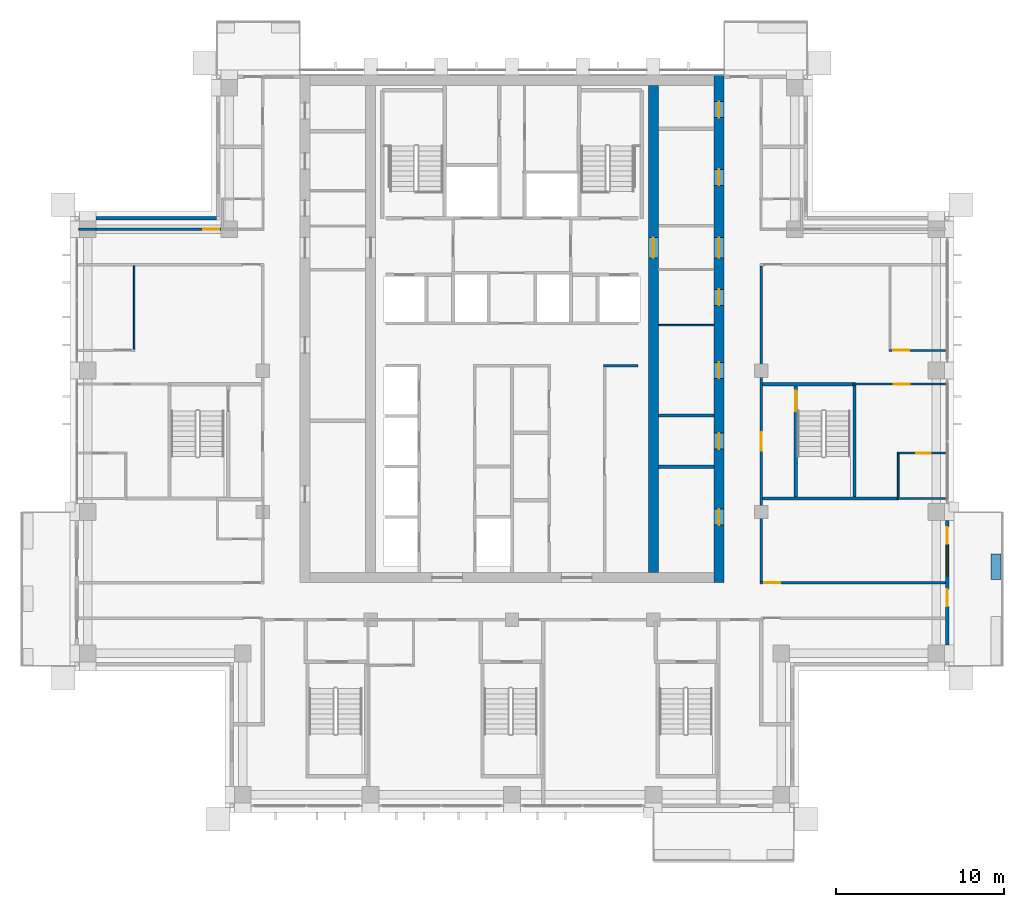
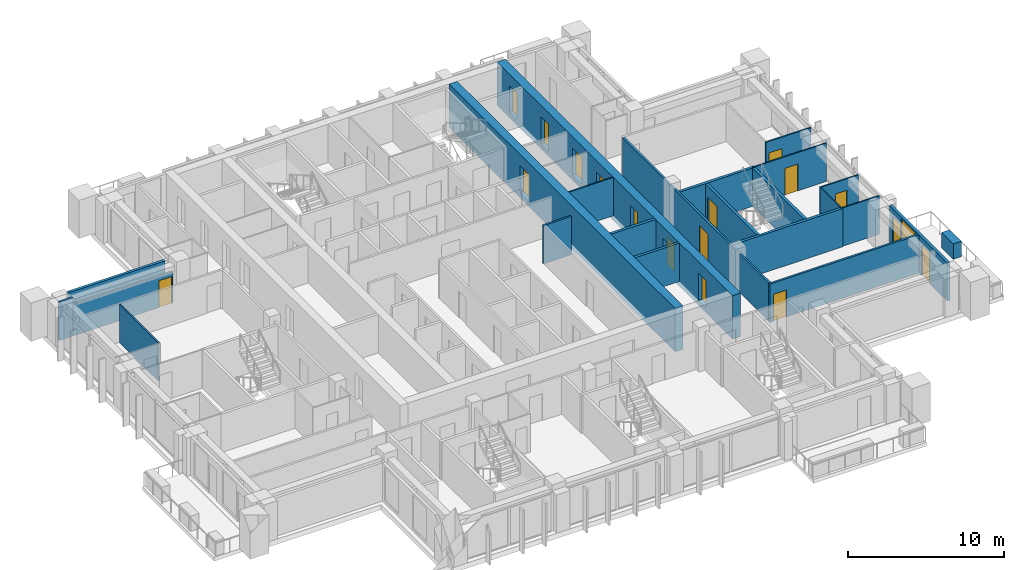
# One storey, part 12 of 19: 23 walls, 17 doors, 1 window, 18 openings.
"""IFC4 building model written with IfcOpenShell, lengths in metres."""

from ifc_helpers import new_model, si_unit, direction, frame, frame_2d, origin, place, context, subcontext, project, spatial, rectangle, extrude, material, layer, layer_set, type_object, element, fill, save


model = new_model("IFC4")

# Units and contexts
model_context = context("Model", 3, precision=1e-05, world=origin(), true_north=direction((0.0, 1.0)))
body_context = subcontext(model_context, "Body", "Model", "MODEL_VIEW")
ifc_project = project(units=[si_unit("LENGTHUNIT", "METRE"), si_unit("AREAUNIT", "SQUARE_METRE"), si_unit("VOLUMEUNIT", "CUBIC_METRE"), si_unit("PLANEANGLEUNIT", "RADIAN"), si_unit("MASSUNIT", "GRAM", prefix="KILO")], contexts=[model_context])

# Site, building, storey
site_placement = place(None, origin())
site = spatial("IfcSite", under=ifc_project, at=site_placement, CompositionType="ELEMENT")
building_placement = place(site_placement, origin())
building = spatial("IfcBuilding", under=site, at=building_placement, Name="Vermilion Ogive Tower", CompositionType="ELEMENT")
storey_placement = place(building_placement, frame((0.0, 0.0, 213.5)))
storey = spatial("IfcBuildingStorey", under=building, at=storey_placement, Name="L56", CompositionType="ELEMENT", Elevation=213.5)

# Wall, openings, doors
ifc_material_1 = material(Name="Concrete B60", Category="concrete")
ifc_layer_1 = layer(ifc_material_1, 0.60009765625)
ifc_layer_set_1 = layer_set([ifc_layer_1], Name="Core wall 600 B60")
wall_type_1 = type_object("IfcWallType", Name="Core wall 600 B60", PredefinedType="SHEAR", material=ifc_layer_set_1)
wall_1_placement = place(storey_placement, frame((12.300048828125, -8.39990234375, -0.39990234375), z_axis=(0.0, 0.0, 1.0), x_axis=(0.0, 1.0, 0.0)))
wall_1 = element("IfcWall", 1, at=wall_1_placement, inside=storey, type_object=wall_type_1, Name="L56-CORE-E", PredefinedType="SHEAR", context=body_context, shape_type="SweptSolid", body=[
    extrude(rectangle(XDim=30.14990234375, YDim=0.60009765625, at=frame_2d((15.074951171875, 0.0))), origin(), (0.0, 0.0, 1.0), 3.39990234375),
])
opening_1_placement = place(wall_1_placement, frame((3.415771484375, 0.0, 0.39990234375)))
opening_1 = element("IfcOpeningElement", 2, at=opening_1_placement, cuts=wall_1, Name="Opening DAC094", PredefinedType="OPENING", context=body_context, shape_type="SweptSolid", body=[
    extrude(rectangle(XDim=0.949951171875, YDim=2.10009765625, at=frame_2d((0.47509765625, 1.050048828125))), frame((0.0, 0.31005859375, 0.0), z_axis=(0.0, -1.0, 0.0), x_axis=(1.0, 0.0, 0.0)), (0.0, 0.0, 1.0), 0.6201171875),
])
opening_2_placement = place(wall_1_placement, frame((7.93212890625, 0.0, 0.39990234375)))
opening_2 = element("IfcOpeningElement", 3, at=opening_2_placement, cuts=wall_1, Name="Opening DAC095", PredefinedType="OPENING", context=body_context, shape_type="SweptSolid", body=[
    extrude(rectangle(XDim=0.949951171875, YDim=2.10009765625, at=frame_2d((0.47509765625, 1.050048828125))), frame((0.0, 0.31005859375, 0.0), z_axis=(0.0, -1.0, 0.0), x_axis=(1.0, 0.0, 0.0)), (0.0, 0.0, 1.0), 0.6201171875),
])
opening_3_placement = place(wall_1_placement, frame((12.1435546875, 0.0, 0.39990234375)))
opening_3 = element("IfcOpeningElement", 4, at=opening_3_placement, cuts=wall_1, Name="Opening DAC096", PredefinedType="OPENING", context=body_context, shape_type="SweptSolid", body=[
    extrude(rectangle(XDim=0.949951171875, YDim=2.10009765625, at=frame_2d((0.47509765625, 1.050048828125))), frame((0.0, 0.31005859375, 0.0), z_axis=(0.0, -1.0, 0.0), x_axis=(1.0, 0.0, 0.0)), (0.0, 0.0, 1.0), 0.6201171875),
])
opening_4_placement = place(wall_1_placement, frame((16.47705078125, 0.0, 0.39990234375)))
opening_4 = element("IfcOpeningElement", 5, at=opening_4_placement, cuts=wall_1, Name="Opening DAC097", PredefinedType="OPENING", context=body_context, shape_type="SweptSolid", body=[
    extrude(rectangle(XDim=0.949951171875, YDim=2.10009765625, at=frame_2d((0.47509765625, 1.050048828125))), frame((0.0, 0.31005859375, 0.0), z_axis=(0.0, -1.0, 0.0), x_axis=(1.0, 0.0, 0.0)), (0.0, 0.0, 1.0), 0.6201171875),
])
opening_5_placement = place(wall_1_placement, frame((23.60498046875, 0.0, 0.39990234375)))
opening_5 = element("IfcOpeningElement", 6, at=opening_5_placement, cuts=wall_1, Name="Opening DAC098", PredefinedType="OPENING", context=body_context, shape_type="SweptSolid", body=[
    extrude(rectangle(XDim=0.949951171875, YDim=2.10009765625, at=frame_2d((0.47509765625, 1.050048828125))), frame((0.0, 0.31005859375, 0.0), z_axis=(0.0, -1.0, 0.0), x_axis=(1.0, 0.0, 0.0)), (0.0, 0.0, 1.0), 0.6201171875),
])
opening_6_placement = place(wall_1_placement, frame((27.630126953125, 0.0, 0.39990234375)))
opening_6 = element("IfcOpeningElement", 7, at=opening_6_placement, cuts=wall_1, Name="Opening DAC099", PredefinedType="OPENING", context=body_context, shape_type="SweptSolid", body=[
    extrude(rectangle(XDim=0.949951171875, YDim=2.10009765625, at=frame_2d((0.47509765625, 1.050048828125))), frame((0.0, 0.31005859375, 0.0), z_axis=(0.0, -1.0, 0.0), x_axis=(1.0, 0.0, 0.0)), (0.0, 0.0, 1.0), 0.6201171875),
])
opening_7_placement = place(wall_1_placement, frame((19.300048828125, 0.0, 0.39990234375)))
opening_7 = element("IfcOpeningElement", 8, at=opening_7_placement, cuts=wall_1, Name="Opening DAL023", PredefinedType="OPENING", context=body_context, shape_type="SweptSolid", body=[
    extrude(rectangle(XDim=1.199951171875, YDim=2.10009765625, at=frame_2d((0.60009765625, 1.050048828125))), frame((0.0, 0.31005859375, 0.0), z_axis=(0.0, -1.0, 0.0), x_axis=(1.0, 0.0, 0.0)), (0.0, 0.0, 1.0), 0.6201171875),
])
ifc_material_2 = material(Name="Timber door leaf", Category="wood")
door_type_1 = type_object("IfcDoorType", Name="Link door 1200 x 2100 FD60S", OperationType="SINGLE_SWING_LEFT", PredefinedType="DOOR", material=ifc_material_2)
door_1_placement = place(opening_7_placement, origin())
door_1 = element("IfcDoor", 9, at=door_1_placement, inside=storey, type_object=door_type_1, Name="L56-CKE-XL", OperationType="SINGLE_SWING_LEFT", OverallHeight=2.10009765625, OverallWidth=1.199951171875, PredefinedType="DOOR", context=body_context, shape_type="SweptSolid", body=[
    extrude(rectangle(XDim=1.199951171875, YDim=2.10009765625, at=frame_2d((0.60009765625, 1.050048828125))), frame((0.0, 0.02490234375, 0.0), z_axis=(0.0, -1.0, 0.0), x_axis=(1.0, 0.0, 0.0)), (0.0, 0.0, 1.0), 0.050048828125),
])
fill(opening_7, door_1)
ifc_material_3 = material(Name="Timber door leaf", Category="wood")
door_type_2 = type_object("IfcDoorType", Name="Service door 950 x 2100 FD60", OperationType="SINGLE_SWING_LEFT", PredefinedType="DOOR", material=ifc_material_3)
door_2_placement = place(opening_1_placement, origin())
door_2 = element("IfcDoor", 10, at=door_2_placement, inside=storey, type_object=door_type_2, Name="L56-CKE-XR0", OperationType="SINGLE_SWING_LEFT", OverallHeight=2.10009765625, OverallWidth=0.949951171875, PredefinedType="DOOR", context=body_context, shape_type="SweptSolid", body=[
    extrude(rectangle(XDim=0.949951171875, YDim=2.10009765625, at=frame_2d((0.47509765625, 1.050048828125))), frame((0.0, 0.02490234375, 0.0), z_axis=(0.0, -1.0, 0.0), x_axis=(1.0, 0.0, 0.0)), (0.0, 0.0, 1.0), 0.050048828125),
])
fill(opening_1, door_2)
door_3_placement = place(opening_2_placement, origin())
door_3 = element("IfcDoor", 11, at=door_3_placement, inside=storey, type_object=door_type_2, Name="L56-CKE-XR1", OperationType="SINGLE_SWING_LEFT", OverallHeight=2.10009765625, OverallWidth=0.949951171875, PredefinedType="DOOR", context=body_context, shape_type="SweptSolid", body=[
    extrude(rectangle(XDim=0.949951171875, YDim=2.10009765625, at=frame_2d((0.47509765625, 1.050048828125))), frame((0.0, 0.02490234375, 0.0), z_axis=(0.0, -1.0, 0.0), x_axis=(1.0, 0.0, 0.0)), (0.0, 0.0, 1.0), 0.050048828125),
])
fill(opening_2, door_3)
door_4_placement = place(opening_3_placement, origin())
door_4 = element("IfcDoor", 12, at=door_4_placement, inside=storey, type_object=door_type_2, Name="L56-CKE-XR2", OperationType="SINGLE_SWING_LEFT", OverallHeight=2.10009765625, OverallWidth=0.949951171875, PredefinedType="DOOR", context=body_context, shape_type="SweptSolid", body=[
    extrude(rectangle(XDim=0.949951171875, YDim=2.10009765625, at=frame_2d((0.47509765625, 1.050048828125))), frame((0.0, 0.02490234375, 0.0), z_axis=(0.0, -1.0, 0.0), x_axis=(1.0, 0.0, 0.0)), (0.0, 0.0, 1.0), 0.050048828125),
])
fill(opening_3, door_4)
door_5_placement = place(opening_4_placement, origin())
door_5 = element("IfcDoor", 13, at=door_5_placement, inside=storey, type_object=door_type_2, Name="L56-CKE-XR3", OperationType="SINGLE_SWING_LEFT", OverallHeight=2.10009765625, OverallWidth=0.949951171875, PredefinedType="DOOR", context=body_context, shape_type="SweptSolid", body=[
    extrude(rectangle(XDim=0.949951171875, YDim=2.10009765625, at=frame_2d((0.47509765625, 1.050048828125))), frame((0.0, 0.02490234375, 0.0), z_axis=(0.0, -1.0, 0.0), x_axis=(1.0, 0.0, 0.0)), (0.0, 0.0, 1.0), 0.050048828125),
])
fill(opening_4, door_5)
door_6_placement = place(opening_5_placement, origin())
door_6 = element("IfcDoor", 14, at=door_6_placement, inside=storey, type_object=door_type_2, Name="L56-CKE-XR4", OperationType="SINGLE_SWING_LEFT", OverallHeight=2.10009765625, OverallWidth=0.949951171875, PredefinedType="DOOR", context=body_context, shape_type="SweptSolid", body=[
    extrude(rectangle(XDim=0.949951171875, YDim=2.10009765625, at=frame_2d((0.47509765625, 1.050048828125))), frame((0.0, 0.02490234375, 0.0), z_axis=(0.0, -1.0, 0.0), x_axis=(1.0, 0.0, 0.0)), (0.0, 0.0, 1.0), 0.050048828125),
])
fill(opening_5, door_6)
door_7_placement = place(opening_6_placement, origin())
door_7 = element("IfcDoor", 15, at=door_7_placement, inside=storey, type_object=door_type_2, Name="L56-CKE-XR5", OperationType="SINGLE_SWING_LEFT", OverallHeight=2.10009765625, OverallWidth=0.949951171875, PredefinedType="DOOR", context=body_context, shape_type="SweptSolid", body=[
    extrude(rectangle(XDim=0.949951171875, YDim=2.10009765625, at=frame_2d((0.47509765625, 1.050048828125))), frame((0.0, 0.02490234375, 0.0), z_axis=(0.0, -1.0, 0.0), x_axis=(1.0, 0.0, 0.0)), (0.0, 0.0, 1.0), 0.050048828125),
])
fill(opening_6, door_7)

# Wall, opening, door
wall_2_placement = place(storey_placement, frame((8.39990234375, -7.800048828125, -0.39990234375), z_axis=(0.0, 0.0, 1.0), x_axis=(0.0, 1.0, 0.0)))
wall_2 = element("IfcWall", 16, at=wall_2_placement, inside=storey, type_object=wall_type_1, Name="L56-CORE-WEB2", PredefinedType="SHEAR", context=body_context, shape_type="SweptSolid", body=[
    extrude(rectangle(XDim=28.949951171875, YDim=0.60009765625, at=frame_2d((14.47509765625, 0.0))), origin(), (0.0, 0.0, 1.0), 3.39990234375),
])
opening_8_placement = place(wall_2_placement, frame((18.699951171875, 0.0, 0.39990234375)))
opening_8 = element("IfcOpeningElement", 17, at=opening_8_placement, cuts=wall_2, Name="Opening DAO018", PredefinedType="OPENING", context=body_context, shape_type="SweptSolid", body=[
    extrude(rectangle(XDim=1.199951171875, YDim=2.10009765625, at=frame_2d((0.60009765625, 1.050048828125))), frame((0.0, 0.31005859375, 0.0), z_axis=(0.0, -1.0, 0.0), x_axis=(1.0, 0.0, 0.0)), (0.0, 0.0, 1.0), 0.6201171875),
])
door_8_placement = place(opening_8_placement, origin())
door_8 = element("IfcDoor", 18, at=door_8_placement, inside=storey, type_object=door_type_1, Name="L56-CKE-XW", OperationType="SINGLE_SWING_LEFT", OverallHeight=2.10009765625, OverallWidth=1.199951171875, PredefinedType="DOOR", context=body_context, shape_type="SweptSolid", body=[
    extrude(rectangle(XDim=1.199951171875, YDim=2.10009765625, at=frame_2d((0.60009765625, 1.050048828125))), frame((0.0, 0.02490234375, 0.0), z_axis=(0.0, -1.0, 0.0), x_axis=(1.0, 0.0, 0.0)), (0.0, 0.0, 1.0), 0.050048828125),
])
fill(opening_8, door_8)

# Wall
ifc_material_4 = material(Name="Gypsum board partition on steel studs", Category="steel")
ifc_layer_2 = layer(ifc_material_4, 0.10009765625)
ifc_layer_set_2 = layer_set([ifc_layer_2], Name="Partition 100 bath")
wall_type_2 = type_object("IfcWallType", Name="Partition 100 bath", PredefinedType="PARTITIONING", material=ifc_layer_set_2)
wall_3_placement = place(storey_placement, frame((22.89990234375, -3.39990234375, 0.0), z_axis=(0.0, 0.0, 1.0), x_axis=(1.0, 0.0, 0.0)))
element("IfcWall", 19, at=wall_3_placement, inside=storey, type_object=wall_type_2, Name="L56-W-W022", PredefinedType="PARTITIONING", context=body_context, shape_type="SweptSolid", body=[
    extrude(rectangle(XDim=2.85009765625, YDim=0.10009765625, at=frame_2d((1.425048828125, 0.0))), origin(), (0.0, 0.0, 1.0), 3.0),
])

# Wall, opening, door
wall_4_placement = place(storey_placement, frame((22.89990234375, -0.699951171875, 0.0), z_axis=(0.0, 0.0, 1.0), x_axis=(1.0, 0.0, 0.0)))
wall_4 = element("IfcWall", 20, at=wall_4_placement, inside=storey, type_object=wall_type_2, Name="L56-W-W024", PredefinedType="PARTITIONING", context=body_context, shape_type="SweptSolid", body=[
    extrude(rectangle(XDim=2.85009765625, YDim=0.10009765625, at=frame_2d((1.425048828125, 0.0))), origin(), (0.0, 0.0, 1.0), 3.0),
])
opening_9_placement = place(wall_4_placement, frame((1.125, 0.0, 0.0)))
opening_9 = element("IfcOpeningElement", 21, at=opening_9_placement, cuts=wall_4, Name="Opening D4G6019", PredefinedType="OPENING", context=body_context, shape_type="SweptSolid", body=[
    extrude(rectangle(XDim=0.85009765625, YDim=2.10009765625, at=frame_2d((0.425048828125, 1.050048828125))), frame((0.0, 0.06005859375, 0.0), z_axis=(0.0, -1.0, 0.0), x_axis=(1.0, 0.0, 0.0)), (0.0, 0.0, 1.0), 0.1201171875),
])
ifc_material_5 = material(Name="Timber door leaf", Category="wood")
door_type_3 = type_object("IfcDoorType", Name="Bath door 850 x 2100 FD30", OperationType="SINGLE_SWING_LEFT", PredefinedType="DOOR", material=ifc_material_5)
door_9_placement = place(opening_9_placement, origin())
door_9 = element("IfcDoor", 22, at=door_9_placement, inside=storey, type_object=door_type_3, Name="L56-D-D019", OperationType="SINGLE_SWING_RIGHT", OverallHeight=2.10009765625, OverallWidth=0.85009765625, PredefinedType="DOOR", context=body_context, shape_type="SweptSolid", body=[
    extrude(rectangle(XDim=0.85009765625, YDim=2.10009765625, at=frame_2d((0.425048828125, 1.050048828125))), frame((0.0, 0.02490234375, 0.0), z_axis=(0.0, -1.0, 0.0), x_axis=(1.0, 0.0, 0.0)), (0.0, 0.0, 1.0), 0.050048828125),
])
fill(opening_9, door_9)

# Walls
wall_5_placement = place(storey_placement, frame((22.949951171875, -3.300048828125, 0.0), z_axis=(0.0, 0.0, 1.0), x_axis=(0.0, 1.0, 0.0)))
element("IfcWall", 23, at=wall_5_placement, inside=storey, type_object=wall_type_2, Name="L56-W-W075", PredefinedType="PARTITIONING", context=body_context, shape_type="SweptSolid", body=[
    extrude(rectangle(XDim=2.550048828125, YDim=0.10009765625, at=frame_2d((1.27490234375, 0.0))), origin(), (0.0, 0.0, 1.0), 3.0),
])
wall_6_placement = place(storey_placement, frame((8.700927734375, 6.904052734375, 0.0), z_axis=(0.0, 0.0, 1.0), x_axis=(1.0, 0.0, 0.0)))
element("IfcWall", 24, at=wall_6_placement, inside=storey, type_object=wall_type_2, Name="L56-CKE-W-W003", PredefinedType="PARTITIONING", context=body_context, shape_type="SweptSolid", body=[
    extrude(rectangle(XDim=3.298095703125, YDim=0.10009765625, at=frame_2d((1.64892578125, 0.0))), origin(), (0.0, 0.0, 1.0), 3.0),
])

# Wall, opening, door
ifc_material_6 = material(Name="Gypsum board partition on steel studs", Category="steel")
ifc_layer_3 = layer(ifc_material_6, 0.10009765625)
ifc_layer_set_3 = layer_set([ifc_layer_3], Name="Partition 100 inner")
wall_type_3 = type_object("IfcWallType", Name="Partition 100 inner", PredefinedType="PARTITIONING", material=ifc_layer_set_3)
wall_7_placement = place(storey_placement, frame((20.25, 3.39990234375, 0.0), z_axis=(0.0, 0.0, 1.0), x_axis=(1.0, 0.0, 0.0)))
wall_7 = element("IfcWall", 25, at=wall_7_placement, inside=storey, type_object=wall_type_3, Name="L56-W-W028", PredefinedType="PARTITIONING", context=body_context, shape_type="SweptSolid", body=[
    extrude(rectangle(XDim=5.5, YDim=0.10009765625, at=frame_2d((2.75, 0.0))), origin(), (0.0, 0.0, 1.0), 3.0),
])
opening_10_placement = place(wall_7_placement, frame((2.425048828125, 0.0, 0.0)))
opening_10 = element("IfcOpeningElement", 26, at=opening_10_placement, cuts=wall_7, Name="Opening D4G6018", PredefinedType="OPENING", context=body_context, shape_type="SweptSolid", body=[
    extrude(rectangle(XDim=0.949951171875, YDim=2.10009765625, at=frame_2d((0.47509765625, 1.050048828125))), frame((0.0, 0.06005859375, 0.0), z_axis=(0.0, -1.0, 0.0), x_axis=(1.0, 0.0, 0.0)), (0.0, 0.0, 1.0), 0.1201171875),
])
ifc_material_7 = material(Name="Timber door leaf", Category="wood")
door_type_4 = type_object("IfcDoorType", Name="Inner door 950 x 2100 FD30", OperationType="SINGLE_SWING_LEFT", PredefinedType="DOOR", material=ifc_material_7)
door_10_placement = place(opening_10_placement, origin())
door_10 = element("IfcDoor", 27, at=door_10_placement, inside=storey, type_object=door_type_4, Name="L56-D-D018", OperationType="SINGLE_SWING_LEFT", OverallHeight=2.10009765625, OverallWidth=0.949951171875, PredefinedType="DOOR", context=body_context, shape_type="SweptSolid", body=[
    extrude(rectangle(XDim=0.949951171875, YDim=2.10009765625, at=frame_2d((0.47509765625, 1.050048828125))), frame((0.0, 0.02490234375, 0.0), z_axis=(0.0, -1.0, 0.0), x_axis=(1.0, 0.0, 0.0)), (0.0, 0.0, 1.0), 0.050048828125),
])
fill(opening_10, door_10)

wall_8_placement = place(storey_placement, frame((22.39990234375, 5.39990234375, 0.0), z_axis=(0.0, 0.0, 1.0), x_axis=(1.0, 0.0, 0.0)))
wall_8 = element("IfcWall", 28, at=wall_8_placement, inside=storey, type_object=wall_type_3, Name="L56-W-W030", PredefinedType="PARTITIONING", context=body_context, shape_type="SweptSolid", body=[
    extrude(rectangle(XDim=3.35009765625, YDim=0.10009765625, at=frame_2d((1.675048828125, 0.0))), origin(), (0.0, 0.0, 1.0), 3.0),
])
opening_11_placement = place(wall_8_placement, frame((0.25, 0.0, 0.0)))
opening_11 = element("IfcOpeningElement", 29, at=opening_11_placement, cuts=wall_8, Name="Opening D4G6016", PredefinedType="OPENING", context=body_context, shape_type="SweptSolid", body=[
    extrude(rectangle(XDim=0.949951171875, YDim=2.10009765625, at=frame_2d((0.47509765625, 1.050048828125))), frame((0.0, 0.06005859375, 0.0), z_axis=(0.0, -1.0, 0.0), x_axis=(1.0, 0.0, 0.0)), (0.0, 0.0, 1.0), 0.1201171875),
])
door_11_placement = place(opening_11_placement, origin())
door_11 = element("IfcDoor", 30, at=door_11_placement, inside=storey, type_object=door_type_4, Name="L56-D-D016", OperationType="SINGLE_SWING_LEFT", OverallHeight=2.10009765625, OverallWidth=0.949951171875, PredefinedType="DOOR", context=body_context, shape_type="SweptSolid", body=[
    extrude(rectangle(XDim=0.949951171875, YDim=2.10009765625, at=frame_2d((0.47509765625, 1.050048828125))), frame((0.0, 0.02490234375, 0.0), z_axis=(0.0, -1.0, 0.0), x_axis=(1.0, 0.0, 0.0)), (0.0, 0.0, 1.0), 0.050048828125),
])
fill(opening_11, door_11)

# Wall
wall_9_placement = place(storey_placement, frame((-22.449951171875, 5.449951171875, 0.0), z_axis=(0.0, 0.0, 1.0), x_axis=(0.0, 1.0, 0.0)))
element("IfcWall", 31, at=wall_9_placement, inside=storey, type_object=wall_type_3, Name="L56-W-W042", PredefinedType="PARTITIONING", context=body_context, shape_type="SweptSolid", body=[
    extrude(rectangle(XDim=4.97509765625, YDim=0.10009765625, at=frame_2d((2.487548828125, 0.0))), origin(), (0.0, 0.0, 1.0), 3.0),
])

# Wall, opening, door
ifc_material_8 = material(Name="Gypsum board partition on steel studs", Category="steel")
ifc_layer_4 = layer(ifc_material_8, 0.14990234375)
ifc_layer_set_4 = layer_set([ifc_layer_4], Name="Partition 150 corridor")
wall_type_4 = type_object("IfcWallType", Name="Partition 150 corridor", PredefinedType="PARTITIONING", material=ifc_layer_set_4)
wall_10_placement = place(storey_placement, frame((14.72509765625, -8.39990234375, 0.0), z_axis=(0.0, 0.0, 1.0), x_axis=(1.0, 0.0, 0.0)))
wall_10 = element("IfcWall", 32, at=wall_10_placement, inside=storey, type_object=wall_type_4, Name="L56-W-W016", PredefinedType="PARTITIONING", context=body_context, shape_type="SweptSolid", body=[
    extrude(rectangle(XDim=11.02490234375, YDim=0.14990234375, at=frame_2d((5.512451171875, 0.0))), origin(), (0.0, 0.0, 1.0), 3.0),
])
opening_12_placement = place(wall_10_placement, frame((0.27490234375, 0.0, 0.0)))
opening_12 = element("IfcOpeningElement", 33, at=opening_12_placement, cuts=wall_10, Name="Opening D4G6015", PredefinedType="OPENING", context=body_context, shape_type="SweptSolid", body=[
    extrude(rectangle(XDim=0.949951171875, YDim=2.10009765625, at=frame_2d((0.47509765625, 1.050048828125))), frame((0.0, 0.0849609375, 0.0), z_axis=(0.0, -1.0, 0.0), x_axis=(1.0, 0.0, 0.0)), (0.0, 0.0, 1.0), 0.169921875),
])
ifc_material_9 = material(Name="Timber door leaf", Category="wood")
door_type_5 = type_object("IfcDoorType", Name="Unit door 950 x 2100 FD30S", OperationType="SINGLE_SWING_LEFT", PredefinedType="DOOR", material=ifc_material_9)
door_12_placement = place(opening_12_placement, origin())
door_12 = element("IfcDoor", 34, at=door_12_placement, inside=storey, type_object=door_type_5, Name="L56-D-D015", OperationType="SINGLE_SWING_LEFT", OverallHeight=2.10009765625, OverallWidth=0.949951171875, PredefinedType="DOOR", context=body_context, shape_type="SweptSolid", body=[
    extrude(rectangle(XDim=0.949951171875, YDim=2.10009765625, at=frame_2d((0.47509765625, 1.050048828125))), frame((0.0, 0.02490234375, 0.0), z_axis=(0.0, -1.0, 0.0), x_axis=(1.0, 0.0, 0.0)), (0.0, 0.0, 1.0), 0.050048828125),
])
fill(opening_12, door_12)

# Wall
wall_11_placement = place(storey_placement, frame((-25.75, 12.60009765625, 0.0), z_axis=(0.0, 0.0, 1.0), x_axis=(1.0, 0.0, 0.0)))
element("IfcWall", 35, at=wall_11_placement, inside=storey, type_object=wall_type_4, Name="L56-W-W033", PredefinedType="PARTITIONING", context=body_context, shape_type="SweptSolid", body=[
    extrude(rectangle(XDim=1.050048828125, YDim=0.14990234375, at=frame_2d((0.52490234375, 0.0))), origin(), (0.0, 0.0, 1.0), 3.0),
])

# Wall, opening, door
wall_12_placement = place(storey_placement, frame((14.800048828125, -8.324951171875, 0.0), z_axis=(0.0, 0.0, 1.0), x_axis=(0.0, 1.0, 0.0)))
wall_12 = element("IfcWall", 36, at=wall_12_placement, inside=storey, type_object=wall_type_4, Name="L56-W-W068", PredefinedType="PARTITIONING", context=body_context, shape_type="SweptSolid", body=[
    extrude(rectangle(XDim=18.75, YDim=0.14990234375, at=frame_2d((9.375, 0.0))), origin(), (0.0, 0.0, 1.0), 3.0),
])
opening_13_placement = place(wall_12_placement, frame((7.77490234375, 0.0, 0.0)))
opening_13 = element("IfcOpeningElement", 37, at=opening_13_placement, cuts=wall_12, Name="Opening D4G6029", PredefinedType="OPENING", context=body_context, shape_type="SweptSolid", body=[
    extrude(rectangle(XDim=1.10009765625, YDim=2.10009765625, at=frame_2d((0.550048828125, 1.050048828125))), frame((0.0, 0.0849609375, 0.0), z_axis=(0.0, -1.0, 0.0), x_axis=(1.0, 0.0, 0.0)), (0.0, 0.0, 1.0), 0.169921875),
])
ifc_material_10 = material(Name="Timber door leaf", Category="wood")
door_type_6 = type_object("IfcDoorType", Name="Stair door 1100 x 2100 FD60S", OperationType="SINGLE_SWING_LEFT", PredefinedType="DOOR", material=ifc_material_10)
door_13_placement = place(opening_13_placement, origin())
door_13 = element("IfcDoor", 38, at=door_13_placement, inside=storey, type_object=door_type_6, Name="L56-D-D029", OperationType="SINGLE_SWING_RIGHT", OverallHeight=2.10009765625, OverallWidth=1.10009765625, PredefinedType="DOOR", context=body_context, shape_type="SweptSolid", body=[
    extrude(rectangle(XDim=1.10009765625, YDim=2.10009765625, at=frame_2d((0.550048828125, 1.050048828125))), frame((0.0, 0.02490234375, 0.0), z_axis=(0.0, -1.0, 0.0), x_axis=(1.0, 0.0, 0.0)), (0.0, 0.0, 1.0), 0.050048828125),
])
fill(opening_13, door_13)

# Wall
wall_13_placement = place(storey_placement, frame((5.425048828125, 4.5, 0.0), z_axis=(0.0, 0.0, 1.0), x_axis=(1.0, 0.0, 0.0)))
element("IfcWall", 39, at=wall_13_placement, inside=storey, type_object=wall_type_4, Name="L56-CK-W-W010", PredefinedType="PARTITIONING", context=body_context, shape_type="SweptSolid", body=[
    extrude(rectangle(XDim=2.074951171875, YDim=0.14990234375, at=frame_2d((1.03759765625, 0.0))), origin(), (0.0, 0.0, 1.0), 3.0),
])

# Wall, opening, door
wall_14_placement = place(storey_placement, frame((-24.699951171875, 12.60009765625, 0.0), z_axis=(0.0, 0.0, 1.0), x_axis=(1.0, 0.0, 0.0)))
wall_14 = element("IfcWall", 40, at=wall_14_placement, inside=storey, type_object=wall_type_4, Name="L56-W-W033-h1", PredefinedType="PARTITIONING", context=body_context, shape_type="SweptSolid", body=[
    extrude(rectangle(XDim=7.39990234375, YDim=0.14990234375, at=frame_2d((3.699951171875, 0.0))), origin(), (0.0, 0.0, 1.0), 2.449951171875),
])
opening_14_placement = place(wall_14_placement, frame((6.349853515625, 0.0, 0.0)))
opening_14 = element("IfcOpeningElement", 41, at=opening_14_placement, cuts=wall_14, Name="Opening D4G6008", PredefinedType="OPENING", context=body_context, shape_type="SweptSolid", body=[
    extrude(rectangle(XDim=0.949951171875, YDim=2.10009765625, at=frame_2d((0.47509765625, 1.050048828125))), frame((0.0, 0.0849609375, 0.0), z_axis=(0.0, -1.0, 0.0), x_axis=(1.0, 0.0, 0.0)), (0.0, 0.0, 1.0), 0.169921875),
])
door_14_placement = place(opening_14_placement, origin())
door_14 = element("IfcDoor", 42, at=door_14_placement, inside=storey, type_object=door_type_5, Name="L56-D-D008", OperationType="SINGLE_SWING_LEFT", OverallHeight=2.10009765625, OverallWidth=0.949951171875, PredefinedType="DOOR", context=body_context, shape_type="SweptSolid", body=[
    extrude(rectangle(XDim=0.949951171875, YDim=2.10009765625, at=frame_2d((0.47509765625, 1.050048828125))), frame((0.0, 0.02490234375, 0.0), z_axis=(0.0, -1.0, 0.0), x_axis=(1.0, 0.0, 0.0)), (0.0, 0.0, 1.0), 0.050048828125),
])
fill(opening_14, door_14)

# Walls
ifc_material_11 = material(Name="Gypsum board partition on steel studs", Category="steel")
ifc_layer_5 = layer(ifc_material_11, 0.199951171875)
ifc_layer_set_5 = layer_set([ifc_layer_5], Name="Partition 200 party")
wall_type_5 = type_object("IfcWallType", Name="Partition 200 party", PredefinedType="PARTITIONING", material=ifc_layer_set_5)
for number, where, z_axis, x_axis, name in (
    (43, (8.700927734375, -1.51904296875, 0.0), (0.0, 0.0, 1.0), (1.0, 0.0, 0.0), "L56-CKE-W-W001"),
    (44, (8.700927734375, 1.532958984375, 0.0), (0.0, 0.0, 1.0), (1.0, 0.0, 0.0), "L56-CKE-W-W002"),
):
    element("IfcWall", number, at=place(storey_placement, frame(where, z_axis=z_axis, x_axis=x_axis)), inside=storey, type_object=wall_type_5, Name=name, PredefinedType="PARTITIONING", context=body_context, shape_type="SweptSolid", body=[
        extrude(rectangle(XDim=3.298095703125, YDim=0.199951171875, at=frame_2d((1.64892578125, 0.0))), origin(), (0.0, 0.0, 1.0), 3.0),
    ])

# Wall, opening, door
ifc_material_12 = material(Name="Concrete B60", Category="concrete")
ifc_layer_6 = layer(ifc_material_12, 0.199951171875)
ifc_layer_set_6 = layer_set([ifc_layer_6], Name="Stair shaft wall 200 Concrete B60")
wall_type_6 = type_object("IfcWallType", Name="Stair shaft wall 200 Concrete B60", PredefinedType="SOLIDWALL", material=ifc_layer_set_6)
wall_15_placement = place(storey_placement, frame((16.85009765625, -3.300048828125, 0.0), z_axis=(0.0, 0.0, 1.0), x_axis=(0.0, 1.0, 0.0)))
wall_15 = element("IfcWall", 45, at=wall_15_placement, inside=storey, type_object=wall_type_6, Name="L56-W-W071", PredefinedType="SOLIDWALL", context=body_context, shape_type="SweptSolid", body=[
    extrude(rectangle(XDim=6.60009765625, YDim=0.199951171875, at=frame_2d((3.300048828125, 0.0))), origin(), (0.0, 0.0, 1.0), 3.0),
])
opening_15_placement = place(wall_15_placement, frame((5.10009765625, 0.0, 0.0)))
opening_15 = element("IfcOpeningElement", 46, at=opening_15_placement, cuts=wall_15, Name="Opening D4G6030", PredefinedType="OPENING", context=body_context, shape_type="SweptSolid", body=[
    extrude(rectangle(XDim=1.199951171875, YDim=2.10009765625, at=frame_2d((0.60009765625, 1.050048828125))), frame((0.0, 0.10986328125, 0.0), z_axis=(0.0, -1.0, 0.0), x_axis=(1.0, 0.0, 0.0)), (0.0, 0.0, 1.0), 0.219970703125),
])
ifc_material_13 = material(Name="Timber door leaf", Category="wood")
door_type_7 = type_object("IfcDoorType", Name="Stair door 1200 x 2100 FD60S", OperationType="SINGLE_SWING_LEFT", PredefinedType="DOOR", material=ifc_material_13)
door_15_placement = place(opening_15_placement, origin())
door_15 = element("IfcDoor", 47, at=door_15_placement, inside=storey, type_object=door_type_7, Name="L56-D-D030", OperationType="SINGLE_SWING_LEFT", OverallHeight=2.10009765625, OverallWidth=1.199951171875, PredefinedType="DOOR", context=body_context, shape_type="SweptSolid", body=[
    extrude(rectangle(XDim=1.199951171875, YDim=2.10009765625, at=frame_2d((0.60009765625, 1.050048828125))), frame((0.0, 0.02490234375, 0.0), z_axis=(0.0, -1.0, 0.0), x_axis=(1.0, 0.0, 0.0)), (0.0, 0.0, 1.0), 0.050048828125),
])
fill(opening_15, door_15)

# Walls
wall_16_placement = place(storey_placement, frame((20.35009765625, -3.300048828125, 0.0), z_axis=(0.0, 0.0, 1.0), x_axis=(0.0, 1.0, 0.0)))
element("IfcWall", 48, at=wall_16_placement, inside=storey, type_object=wall_type_6, Name="L56-W-W073", PredefinedType="SOLIDWALL", context=body_context, shape_type="SweptSolid", body=[
    extrude(rectangle(XDim=6.60009765625, YDim=0.199951171875, at=frame_2d((3.300048828125, 0.0))), origin(), (0.0, 0.0, 1.0), 3.0),
])
wall_17_placement = place(storey_placement, frame((14.875, 3.39990234375, 0.0), z_axis=(0.0, 0.0, 1.0), x_axis=(1.0, 0.0, 0.0)))
element("IfcWall", 49, at=wall_17_placement, inside=storey, type_object=wall_type_6, Name="L56-W-W027-A", PredefinedType="SOLIDWALL", context=body_context, shape_type="SweptSolid", body=[
    extrude(rectangle(XDim=5.574951171875, YDim=0.199951171875, at=frame_2d((2.78759765625, 0.0))), origin(), (0.0, 0.0, 1.0), 3.0),
])
wall_18_placement = place(storey_placement, frame((14.875, -3.39990234375, 0.0), z_axis=(0.0, 0.0, 1.0), x_axis=(1.0, 0.0, 0.0)))
element("IfcWall", 50, at=wall_18_placement, inside=storey, type_object=wall_type_6, Name="L56-W-W021-A", PredefinedType="SOLIDWALL", context=body_context, shape_type="SweptSolid", body=[
    extrude(rectangle(XDim=8.125, YDim=0.199951171875, at=frame_2d((4.0625, 0.0))), origin(), (0.0, 0.0, 1.0), 3.0),
])
ifc_material_14 = material(Name="Concrete B40", Category="concrete")
ifc_layer_7 = layer(ifc_material_14, 0.60009765625)
ifc_layer_set_7 = layer_set([ifc_layer_7], Name="Structural planter")
wall_type_7 = type_object("IfcWallType", Name="Structural planter", PredefinedType="USERDEFINED", material=ifc_layer_set_7)
wall_19_placement = place(storey_placement, frame((28.75, -8.199951171875, -0.0400390625), z_axis=(0.0, 0.0, 1.0), x_axis=(0.0, 1.0, 0.0)))
element("IfcWall", 51, at=wall_19_placement, inside=storey, type_object=wall_type_7, Name="Planter E01A2", ObjectType="PLANTER", PredefinedType="USERDEFINED", context=body_context, shape_type="SweptSolid", body=[
    extrude(rectangle(XDim=1.5, YDim=0.60009765625, at=frame_2d((0.75, 0.0))), origin(), (0.0, 0.0, 1.0), 1.199951171875),
])

# Wall, openings, doors, window
ifc_material_15 = material(Name="Aluminium window wall framing", Category="aluminium")
ifc_layer_8 = layer(ifc_material_15, 0.199951171875)
ifc_layer_set_8 = layer_set([ifc_layer_8], Name="Window wall")
wall_type_8 = type_object("IfcWallType", Name="Window wall", PredefinedType="STANDARD", material=ifc_layer_set_8)
wall_20_placement = place(storey_placement, frame((25.85009765625, -12.10009765625, 0.0), z_axis=(0.0, 0.0, 1.0), x_axis=(0.0, 1.0, 0.0)))
wall_20 = element("IfcWall", 52, at=wall_20_placement, inside=storey, type_object=wall_type_8, Name="Window wall E1", PredefinedType="STANDARD", context=body_context, shape_type="SweptSolid", body=[
    extrude(rectangle(XDim=7.400146484375, YDim=0.199951171875, at=frame_2d((3.7001953125, 0.0))), origin(), (0.0, 0.0, 1.0), 3.0),
])
opening_16_placement = place(wall_20_placement, frame((2.300048828125, 0.0, 0.0)))
opening_16 = element("IfcOpeningElement", 53, at=opening_16_placement, cuts=wall_20, Name="Opening D1-E97", PredefinedType="OPENING", context=body_context, shape_type="SweptSolid", body=[
    extrude(rectangle(XDim=1.0, YDim=2.39990234375, at=frame_2d((0.5, 1.199951171875))), frame((0.0, 0.10986328125, 0.0), z_axis=(0.0, -1.0, 0.0), x_axis=(1.0, 0.0, 0.0)), (0.0, 0.0, 1.0), 0.219970703125),
])
opening_17_placement = place(wall_20_placement, frame((4.10009765625, 0.0, 0.199951171875)))
opening_17 = element("IfcOpeningElement", 54, at=opening_17_placement, cuts=wall_20, Name="Opening W1-E98", PredefinedType="OPENING", context=body_context, shape_type="SweptSolid", body=[
    extrude(rectangle(XDim=1.800048828125, YDim=2.64990234375, at=frame_2d((0.89990234375, 1.324951171875))), frame((0.0, 0.10986328125, 0.0), z_axis=(0.0, -1.0, 0.0), x_axis=(1.0, 0.0, 0.0)), (0.0, 0.0, 1.0), 0.219970703125),
])
opening_18_placement = place(wall_20_placement, frame((6.0, 0.0, 0.0)))
opening_18 = element("IfcOpeningElement", 55, at=opening_18_placement, cuts=wall_20, Name="Opening D1-E98", PredefinedType="OPENING", context=body_context, shape_type="SweptSolid", body=[
    extrude(rectangle(XDim=1.0, YDim=2.39990234375, at=frame_2d((0.5, 1.199951171875))), frame((0.0, 0.10986328125, 0.0), z_axis=(0.0, -1.0, 0.0), x_axis=(1.0, 0.0, 0.0)), (0.0, 0.0, 1.0), 0.219970703125),
])
ifc_material_16 = material(Name="Aluminium framed glazed door", Category="aluminium")
door_type_8 = type_object("IfcDoorType", Name="Balcony door D1", OperationType="SINGLE_SWING_LEFT", PredefinedType="DOOR", material=ifc_material_16)
door_16_placement = place(opening_16_placement, origin())
door_16 = element("IfcDoor", 56, at=door_16_placement, inside=storey, type_object=door_type_8, Name="Balcony door E97", OperationType="SINGLE_SWING_LEFT", OverallHeight=2.39990234375, OverallWidth=1.0, PredefinedType="DOOR", context=body_context, shape_type="SweptSolid", body=[
    extrude(rectangle(XDim=1.0, YDim=2.39990234375, at=frame_2d((0.5, 1.199951171875))), frame((0.0, 0.02490234375, 0.0), z_axis=(0.0, -1.0, 0.0), x_axis=(1.0, 0.0, 0.0)), (0.0, 0.0, 1.0), 0.050048828125),
])
fill(opening_16, door_16)
door_17_placement = place(opening_18_placement, origin())
door_17 = element("IfcDoor", 57, at=door_17_placement, inside=storey, type_object=door_type_8, Name="Balcony door E98", OperationType="SINGLE_SWING_LEFT", OverallHeight=2.39990234375, OverallWidth=1.0, PredefinedType="DOOR", context=body_context, shape_type="SweptSolid", body=[
    extrude(rectangle(XDim=1.0, YDim=2.39990234375, at=frame_2d((0.5, 1.199951171875))), frame((0.0, 0.02490234375, 0.0), z_axis=(0.0, -1.0, 0.0), x_axis=(1.0, 0.0, 0.0)), (0.0, 0.0, 1.0), 0.050048828125),
])
fill(opening_18, door_17)
ifc_material_17 = material(Name="Aluminium framed double glazing", Category="aluminium")
window_type = type_object("IfcWindowType", Name="Guest window W1", PartitioningType="SINGLE_PANEL", PredefinedType="WINDOW", material=ifc_material_17)
window_placement = place(opening_17_placement, origin())
window = element("IfcWindow", 58, at=window_placement, inside=storey, type_object=window_type, Name="Window E98", OverallHeight=2.64990234375, OverallWidth=1.800048828125, PartitioningType="SINGLE_PANEL", PredefinedType="WINDOW", context=body_context, shape_type="SweptSolid", body=[
    extrude(rectangle(XDim=1.800048828125, YDim=2.64990234375, at=frame_2d((0.89990234375, 1.324951171875))), frame((0.0, 0.030029296875, 0.0), z_axis=(0.0, -1.0, 0.0), x_axis=(1.0, 0.0, 0.0)), (0.0, 0.0, 1.0), 0.06005859375),
])
fill(opening_17, window)

# Wall
wall_21_placement = place(storey_placement, frame((-17.550048828125, 13.25, 0.0), z_axis=(0.0, 0.0, 1.0), x_axis=(-1.0, 0.0, 0.0)))
element("IfcWall", 59, at=wall_21_placement, inside=storey, type_object=wall_type_8, Name="Window wall X61", PredefinedType="STANDARD", context=body_context, shape_type="SweptSolid", body=[
    extrude(rectangle(XDim=7.14990234375, YDim=0.199951171875, at=frame_2d((3.574951171875, 0.0))), origin(), (0.0, 0.0, 1.0), 3.0),
])

save(model, "model.ifc")
